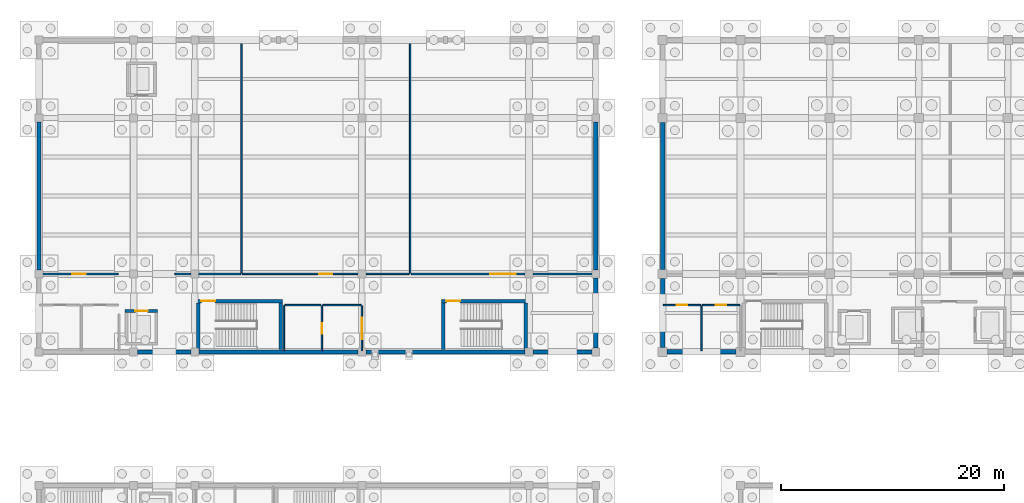
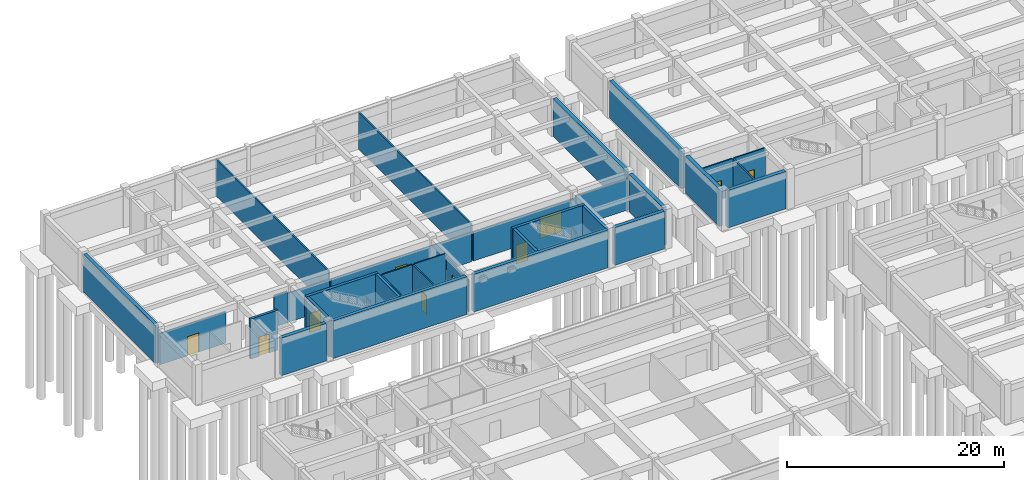
# One storey, part 16 of 28: 33 walls, 10 doors, 10 openings.
"""IFC4 building model written with IfcOpenShell, lengths in metres."""

from ifc_helpers import new_model, si_unit, direction, frame, frame_2d, origin, place, context, subcontext, project, spatial, rectangle, extrude, material, layer, layer_set, type_object, element, fill, save


model = new_model("IFC4")

# Units and contexts
model_context = context("Model", 3, precision=1e-05, world=origin(), true_north=direction((0.0, 1.0)))
body_context = subcontext(model_context, "Body", "Model", "MODEL_VIEW")
ifc_project = project(units=[si_unit("LENGTHUNIT", "METRE"), si_unit("AREAUNIT", "SQUARE_METRE"), si_unit("VOLUMEUNIT", "CUBIC_METRE"), si_unit("PLANEANGLEUNIT", "RADIAN"), si_unit("MASSUNIT", "GRAM", prefix="KILO")], contexts=[model_context])

# Site, building, storey
site_placement = place(None, origin())
site = spatial("IfcSite", under=ifc_project, at=site_placement, CompositionType="ELEMENT")
building_placement = place(site_placement, origin())
building = spatial("IfcBuilding", under=site, at=building_placement, Name="Naurynzar Civic Courthouse", CompositionType="ELEMENT")
storey_placement = place(building_placement, frame((0.0, 0.0, -4.5)))
storey = spatial("IfcBuildingStorey", under=building, at=storey_placement, Name="B01", CompositionType="ELEMENT", Elevation=-4.5)

# Wall, opening, door
ifc_material_1 = material(Name="Concrete C40/50", Category="concrete")
ifc_layer_1 = layer(ifc_material_1, 0.300048828125)
ifc_layer_set_1 = layer_set([ifc_layer_1], Name="WL-CORE-300")
wall_type_1 = type_object("IfcWallType", Name="WL-CORE-300", PredefinedType="SHEAR", material=ifc_layer_set_1)
wall_1_placement = place(storey_placement, frame((27.85009765625, 48.550048828125, 0.0), z_axis=(0.0, 0.0, 1.0), x_axis=(-1.0, 0.0, 0.0)))
wall_1 = element("IfcWall", 1, at=wall_1_placement, inside=storey, type_object=wall_type_1, Name="Stair ST-V1A enclosure wall north B01", PredefinedType="SHEAR", context=body_context, shape_type="SweptSolid", body=[
    extrude(rectangle(XDim=7.7001953125, YDim=0.300048828125, at=frame_2d((3.85009765625, 0.0))), origin(), (0.0, 0.0, 1.0), 4.239990234375),
])
opening_1_placement = place(wall_1_placement, frame((6.02490234375, 0.0, 0.0)))
opening_1 = element("IfcOpeningElement", 2, at=opening_1_placement, cuts=wall_1, Name="Opening SD-001", PredefinedType="OPENING", context=body_context, shape_type="SweptSolid", body=[
    extrude(rectangle(XDim=1.25, YDim=2.14990234375, at=frame_2d((0.625, 1.074951171875))), frame((0.0, 0.159912109375, 0.0), z_axis=(0.0, -1.0, 0.0), x_axis=(1.0, 0.0, 0.0)), (0.0, 0.0, 1.0), 0.320068359375),
])
ifc_material_2 = material(Name="Powder-Coated Galvanised Steel", Category="steel")
door_type_1 = type_object("IfcDoorType", Name="DR-STAIR-1250x2150", OperationType="NOTDEFINED", PredefinedType="DOOR", material=ifc_material_2)
door_1_placement = place(opening_1_placement, origin())
door_1 = element("IfcDoor", 3, at=door_1_placement, inside=storey, type_object=door_type_1, Name="Stair ST-V1A fire door B01", OperationType="SINGLE_SWING_LEFT", OverallHeight=2.14990234375, OverallWidth=1.25, PredefinedType="DOOR", context=body_context, shape_type="SweptSolid", body=[
    extrude(rectangle(XDim=1.25, YDim=2.14990234375, at=frame_2d((0.625, 1.074951171875))), frame((0.0, 0.02490234375, 0.0), z_axis=(0.0, -1.0, 0.0), x_axis=(1.0, 0.0, 0.0)), (0.0, 0.0, 1.0), 0.050048828125),
])
fill(opening_1, door_1)

# Walls
for number, where, z_axis, x_axis, name in (
    (4, (20.300048828125, 48.39501953125, 0.0), (0.0, 0.0, 1.0), (0.0, -1.0, 0.0), "Stair ST-V1A enclosure wall west B01"),
    (5, (27.699951171875, 44.205078125, 0.0), (0.0, 0.0, 1.0), (0.0, 1.0, 0.0), "Stair ST-V1A enclosure wall east B01"),
):
    element("IfcWall", number, at=place(storey_placement, frame(where, z_axis=z_axis, x_axis=x_axis)), inside=storey, type_object=wall_type_1, Name=name, PredefinedType="SHEAR", context=body_context, shape_type="SweptSolid", body=[
        extrude(rectangle(XDim=4.18994140625, YDim=0.300048828125, at=frame_2d((2.094970703125, 0.0))), origin(), (0.0, 0.0, 1.0), 4.239990234375),
    ])

# Wall, opening, door
wall_2_placement = place(storey_placement, frame((49.85009765625, 48.550048828125, 0.0), z_axis=(0.0, 0.0, 1.0), x_axis=(-1.0, 0.0, 0.0)))
wall_2 = element("IfcWall", 6, at=wall_2_placement, inside=storey, type_object=wall_type_1, Name="Stair ST-V1B enclosure wall north B01", PredefinedType="SHEAR", context=body_context, shape_type="SweptSolid", body=[
    extrude(rectangle(XDim=7.7001953125, YDim=0.300048828125, at=frame_2d((3.85009765625, 0.0))), origin(), (0.0, 0.0, 1.0), 4.239990234375),
])
opening_2_placement = place(wall_2_placement, frame((6.02490234375, 0.0, 0.0)))
opening_2 = element("IfcOpeningElement", 7, at=opening_2_placement, cuts=wall_2, Name="Opening SD-006", PredefinedType="OPENING", context=body_context, shape_type="SweptSolid", body=[
    extrude(rectangle(XDim=1.25, YDim=2.14990234375, at=frame_2d((0.625, 1.074951171875))), frame((0.0, 0.159912109375, 0.0), z_axis=(0.0, -1.0, 0.0), x_axis=(1.0, 0.0, 0.0)), (0.0, 0.0, 1.0), 0.320068359375),
])
door_2_placement = place(opening_2_placement, origin())
door_2 = element("IfcDoor", 8, at=door_2_placement, inside=storey, type_object=door_type_1, Name="Stair ST-V1B fire door B01", OperationType="SINGLE_SWING_RIGHT", OverallHeight=2.14990234375, OverallWidth=1.25, PredefinedType="DOOR", context=body_context, shape_type="SweptSolid", body=[
    extrude(rectangle(XDim=1.25, YDim=2.14990234375, at=frame_2d((0.625, 1.074951171875))), frame((0.0, 0.02490234375, 0.0), z_axis=(0.0, -1.0, 0.0), x_axis=(1.0, 0.0, 0.0)), (0.0, 0.0, 1.0), 0.050048828125),
])
fill(opening_2, door_2)

# Walls
for number, where, z_axis, x_axis, name in (
    (9, (42.300048828125, 48.39501953125, 0.0), (0.0, 0.0, 1.0), (0.0, -1.0, 0.0), "Stair ST-V1B enclosure wall west B01"),
    (10, (49.699951171875, 44.205078125, 0.0), (0.0, 0.0, 1.0), (0.0, 1.0, 0.0), "Stair ST-V1B enclosure wall east B01"),
):
    element("IfcWall", number, at=place(storey_placement, frame(where, z_axis=z_axis, x_axis=x_axis)), inside=storey, type_object=wall_type_1, Name=name, PredefinedType="SHEAR", context=body_context, shape_type="SweptSolid", body=[
        extrude(rectangle(XDim=4.18994140625, YDim=0.300048828125, at=frame_2d((2.094970703125, 0.0))), origin(), (0.0, 0.0, 1.0), 4.239990234375),
    ])

# Wall, opening, door
ifc_material_3 = material(Name="Fire-Rated Corridor Gypsum Partition")
ifc_layer_2 = layer(ifc_material_3, 0.14990234375)
ifc_layer_set_2 = layer_set([ifc_layer_2], Name="WL-PART-CORR-150")
wall_type_2 = type_object("IfcWallType", Name="WL-PART-CORR-150", PredefinedType="PARTITIONING", material=ifc_layer_set_2)
wall_3_placement = place(storey_placement, frame((6.080078125, 51.0, 0.0), z_axis=(0.0, 0.0, 1.0), x_axis=(1.0, 0.0, 0.0)))
wall_3 = element("IfcWall", 11, at=wall_3_placement, inside=storey, type_object=wall_type_2, Name="V1 interior partition B01.28", PredefinedType="PARTITIONING", context=body_context, shape_type="SweptSolid", body=[
    extrude(rectangle(XDim=7.02001953125, YDim=0.14990234375, at=frame_2d((3.510009765625, 0.0))), origin(), (0.0, 0.0, 1.0), 3.530029296875),
])
opening_3_placement = place(wall_3_placement, frame((2.909912109375, 0.0, 0.0)))
opening_3 = element("IfcOpeningElement", 12, at=opening_3_placement, cuts=wall_3, Name="Opening D-005", PredefinedType="OPENING", context=body_context, shape_type="SweptSolid", body=[
    extrude(rectangle(XDim=1.199951171875, YDim=2.14990234375, at=frame_2d((0.60009765625, 1.074951171875))), frame((0.0, 0.0849609375, 0.0), z_axis=(0.0, -1.0, 0.0), x_axis=(1.0, 0.0, 0.0)), (0.0, 0.0, 1.0), 0.169921875),
])
ifc_material_4 = material(Name="Powder-Coated Galvanised Steel", Category="steel")
door_type_2 = type_object("IfcDoorType", Name="DR-ARCH-1200x2150", OperationType="NOTDEFINED", PredefinedType="DOOR", material=ifc_material_4)
door_3_placement = place(opening_3_placement, origin())
door_3 = element("IfcDoor", 13, at=door_3_placement, inside=storey, type_object=door_type_2, Name="Interior door D-005 (Constitutional Records Archive)", OperationType="SINGLE_SWING_LEFT", OverallHeight=2.14990234375, OverallWidth=1.199951171875, PredefinedType="DOOR", context=body_context, shape_type="SweptSolid", body=[
    extrude(rectangle(XDim=1.199951171875, YDim=2.14990234375, at=frame_2d((0.60009765625, 1.074951171875))), frame((0.0, 0.02490234375, 0.0), z_axis=(0.0, -1.0, 0.0), x_axis=(1.0, 0.0, 0.0)), (0.0, 0.0, 1.0), 0.050048828125),
])
fill(opening_3, door_3)

# Walls
wall_4_placement = place(storey_placement, frame((18.199951171875, 51.0, 0.0), z_axis=(0.0, 0.0, 1.0), x_axis=(1.0, 0.0, 0.0)))
element("IfcWall", 14, at=wall_4_placement, inside=storey, type_object=wall_type_2, Name="V1 interior partition B01.29a", PredefinedType="PARTITIONING", context=body_context, shape_type="SweptSolid", body=[
    extrude(rectangle(XDim=1.449951171875, YDim=0.14990234375, at=frame_2d((0.72509765625, 0.0))), origin(), (0.0, 0.0, 1.0), 3.530029296875),
])
wall_5_placement = place(storey_placement, frame((19.64990234375, 51.0, 0.0), z_axis=(0.0, 0.0, 1.0), x_axis=(1.0, 0.0, 0.0)))
element("IfcWall", 15, at=wall_5_placement, inside=storey, type_object=wall_type_2, Name="V1 interior partition B01.29ab", PredefinedType="PARTITIONING", context=body_context, shape_type="SweptSolid", body=[
    extrude(rectangle(XDim=4.4501953125, YDim=0.14990234375, at=frame_2d((2.22509765625, 0.0))), origin(), (0.0, 0.0, 1.0), 3.280029296875),
])

# Wall, opening, door
wall_6_placement = place(storey_placement, frame((39.409912109375, 51.0, 0.0), z_axis=(0.0, 0.0, 1.0), x_axis=(1.0, 0.0, 0.0)))
wall_6 = element("IfcWall", 16, at=wall_6_placement, inside=storey, type_object=wall_type_2, Name="V1 interior partition B01.31a", PredefinedType="PARTITIONING", context=body_context, shape_type="SweptSolid", body=[
    extrude(rectangle(XDim=10.940185546875, YDim=0.14990234375, at=frame_2d((5.47021484375, 0.0))), origin(), (0.0, 0.0, 1.0), 3.280029296875),
])
opening_4_placement = place(wall_6_placement, frame((7.10498046875, 0.0, 0.0)))
opening_4 = element("IfcOpeningElement", 17, at=opening_4_placement, cuts=wall_6, Name="Opening D-007", PredefinedType="OPENING", context=body_context, shape_type="SweptSolid", body=[
    extrude(rectangle(XDim=2.300048828125, YDim=2.39990234375, at=frame_2d((1.14990234375, 1.199951171875))), frame((0.0, 0.0849609375, 0.0), z_axis=(0.0, -1.0, 0.0), x_axis=(1.0, 0.0, 0.0)), (0.0, 0.0, 1.0), 0.169921875),
])
ifc_material_5 = material(Name="Acoustic Oak Timber Grade A", Category="wood")
door_type_3 = type_object("IfcDoorType", Name="DR-SUITE-2300x2400", OperationType="DOUBLE_DOOR_SINGLE_SWING", PredefinedType="DOOR", material=ifc_material_5)
door_4_placement = place(opening_4_placement, origin())
door_4 = element("IfcDoor", 18, at=door_4_placement, inside=storey, type_object=door_type_3, Name="Interior door D-007 (Sprinkler and Fire Pump Plant)", OperationType="DOUBLE_DOOR_SINGLE_SWING", OverallHeight=2.39990234375, OverallWidth=2.300048828125, PredefinedType="DOOR", context=body_context, shape_type="SweptSolid", body=[
    extrude(rectangle(XDim=2.300048828125, YDim=2.39990234375, at=frame_2d((1.14990234375, 1.199951171875))), frame((0.0, 0.02490234375, 0.0), z_axis=(0.0, -1.0, 0.0), x_axis=(1.0, 0.0, 0.0)), (0.0, 0.0, 1.0), 0.050048828125),
])
fill(opening_4, door_4)

# Walls
wall_7_placement = place(storey_placement, frame((50.35009765625, 51.0, 0.0), z_axis=(0.0, 0.0, 1.0), x_axis=(1.0, 0.0, 0.0)))
element("IfcWall", 19, at=wall_7_placement, inside=storey, type_object=wall_type_2, Name="V1 interior partition B01.31ab", PredefinedType="PARTITIONING", context=body_context, shape_type="SweptSolid", body=[
    extrude(rectangle(XDim=5.56982421875, YDim=0.14990234375, at=frame_2d((2.784912109375, 0.0))), origin(), (0.0, 0.0, 1.0), 3.530029296875),
])
for number, where, z_axis, x_axis, name in (
    (20, (24.179931640625, 51.080078125, 0.0), (0.0, 0.0, 1.0), (0.0, 1.0, 0.0), "V1 interior partition B01.42"),
    (21, (39.330078125, 51.080078125, 0.0), (0.0, 0.0, 1.0), (0.0, 1.0, 0.0), "V1 interior partition B01.48"),
):
    element("IfcWall", number, at=place(storey_placement, frame(where, z_axis=z_axis, x_axis=x_axis)), inside=storey, type_object=wall_type_2, Name=name, PredefinedType="PARTITIONING", context=body_context, shape_type="SweptSolid", body=[
        extrude(rectangle(XDim=20.83984375, YDim=0.14990234375, at=frame_2d((10.419921875, 0.0))), origin(), (0.0, 0.0, 1.0), 4.139892578125),
    ])
ifc_material_6 = material(Name="Metal-Stud Gypsum Partition")
ifc_layer_3 = layer(ifc_material_6, 0.125)
ifc_layer_set_3 = layer_set([ifc_layer_3], Name="WL-PART-STD-125")
wall_type_3 = type_object("IfcWallType", Name="WL-PART-STD-125", PredefinedType="PARTITIONING", material=ifc_layer_set_3)
wall_8_placement = place(storey_placement, frame((31.47998046875, 48.199951171875, 0.0), z_axis=(0.0, 0.0, 1.0), x_axis=(1.0, 0.0, 0.0)))
element("IfcWall", 22, at=wall_8_placement, inside=storey, type_object=wall_type_3, Name="V1 interior partition B01.23", PredefinedType="PARTITIONING", context=body_context, shape_type="SweptSolid", body=[
    extrude(rectangle(XDim=3.43994140625, YDim=0.125, at=frame_2d((1.719970703125, 0.0))), origin(), (0.0, 0.0, 1.0), 4.139892578125),
])

# Wall, opening, door
wall_9_placement = place(storey_placement, frame((24.260009765625, 51.0, 0.0), z_axis=(0.0, 0.0, 1.0), x_axis=(1.0, 0.0, 0.0)))
wall_9 = element("IfcWall", 23, at=wall_9_placement, inside=storey, type_object=wall_type_3, Name="V1 interior partition B01.30", PredefinedType="PARTITIONING", context=body_context, shape_type="SweptSolid", body=[
    extrude(rectangle(XDim=14.989990234375, YDim=0.125, at=frame_2d((7.4951171875, 0.0))), origin(), (0.0, 0.0, 1.0), 3.280029296875),
])
opening_5_placement = place(wall_9_placement, frame((6.89501953125, 0.0, 0.0)))
opening_5 = element("IfcOpeningElement", 24, at=opening_5_placement, cuts=wall_9, Name="Opening D-006", PredefinedType="OPENING", context=body_context, shape_type="SweptSolid", body=[
    extrude(rectangle(XDim=1.199951171875, YDim=2.14990234375, at=frame_2d((0.60009765625, 1.074951171875))), frame((0.0, 0.072509765625, 0.0), z_axis=(0.0, -1.0, 0.0), x_axis=(1.0, 0.0, 0.0)), (0.0, 0.0, 1.0), 0.14501953125),
])
door_5_placement = place(opening_5_placement, origin())
door_5 = element("IfcDoor", 25, at=door_5_placement, inside=storey, type_object=door_type_2, Name="Interior door D-006 (Ceremonial Press Archive)", OperationType="SINGLE_SWING_RIGHT", OverallHeight=2.14990234375, OverallWidth=1.199951171875, PredefinedType="DOOR", context=body_context, shape_type="SweptSolid", body=[
    extrude(rectangle(XDim=1.199951171875, YDim=2.14990234375, at=frame_2d((0.60009765625, 1.074951171875))), frame((0.0, 0.02490234375, 0.0), z_axis=(0.0, -1.0, 0.0), x_axis=(1.0, 0.0, 0.0)), (0.0, 0.0, 1.0), 0.050048828125),
])
fill(opening_5, door_5)

wall_10_placement = place(storey_placement, frame((35.0, 44.080078125, 0.0), z_axis=(0.0, 0.0, 1.0), x_axis=(0.0, 1.0, 0.0)))
wall_10 = element("IfcWall", 26, at=wall_10_placement, inside=storey, type_object=wall_type_3, Name="V1 interior partition B01.47", PredefinedType="PARTITIONING", context=body_context, shape_type="SweptSolid", body=[
    extrude(rectangle(XDim=4.0400390625, YDim=0.125, at=frame_2d((2.02001953125, 0.0))), origin(), (0.0, 0.0, 1.0), 3.580078125),
])
opening_6_placement = place(wall_10_placement, frame((1.044921875, 0.0, 0.0)))
opening_6 = element("IfcOpeningElement", 27, at=opening_6_placement, cuts=wall_10, Name="Opening D-004", PredefinedType="OPENING", context=body_context, shape_type="SweptSolid", body=[
    extrude(rectangle(XDim=1.949951171875, YDim=2.35009765625, at=frame_2d((0.97509765625, 1.175048828125))), frame((0.0, 0.072509765625, 0.0), z_axis=(0.0, -1.0, 0.0), x_axis=(1.0, 0.0, 0.0)), (0.0, 0.0, 1.0), 0.14501953125),
])
ifc_material_7 = material(Name="Acoustic Oak Timber Grade A", Category="wood")
door_type_4 = type_object("IfcDoorType", Name="DR-SUITE-1950x2350", OperationType="DOUBLE_DOOR_SINGLE_SWING", PredefinedType="DOOR", material=ifc_material_7)
door_6_placement = place(opening_6_placement, origin())
door_6 = element("IfcDoor", 28, at=door_6_placement, inside=storey, type_object=door_type_4, Name="Interior door D-004 (Ceremonial Waiting Lounge)", OperationType="DOUBLE_DOOR_SINGLE_SWING", OverallHeight=2.35009765625, OverallWidth=1.949951171875, PredefinedType="DOOR", context=body_context, shape_type="SweptSolid", body=[
    extrude(rectangle(XDim=1.949951171875, YDim=2.35009765625, at=frame_2d((0.97509765625, 1.175048828125))), frame((0.0, 0.02490234375, 0.0), z_axis=(0.0, -1.0, 0.0), x_axis=(1.0, 0.0, 0.0)), (0.0, 0.0, 1.0), 0.050048828125),
])
fill(opening_6, door_6)

# Wall
ifc_material_8 = material(Name="Moisture-Resistant Plumbing Partition")
ifc_layer_4 = layer(ifc_material_8, 0.139892578125)
ifc_layer_set_4 = layer_set([ifc_layer_4], Name="WL-PART-WC-140")
wall_type_4 = type_object("IfcWallType", Name="WL-PART-WC-140", PredefinedType="PLUMBINGWALL", material=ifc_layer_set_4)
wall_11_placement = place(storey_placement, frame((28.080078125, 48.199951171875, 0.0), z_axis=(0.0, 0.0, 1.0), x_axis=(1.0, 0.0, 0.0)))
element("IfcWall", 29, at=wall_11_placement, inside=storey, type_object=wall_type_4, Name="V1 interior partition B01.22", PredefinedType="PLUMBINGWALL", context=body_context, shape_type="SweptSolid", body=[
    extrude(rectangle(XDim=3.239990234375, YDim=0.139892578125, at=frame_2d((1.6201171875, 0.0))), origin(), (0.0, 0.0, 1.0), 4.139892578125),
])

# Wall, opening, door
wall_12_placement = place(storey_placement, frame((62.080078125, 48.199951171875, 0.0), z_axis=(0.0, 0.0, 1.0), x_axis=(1.0, 0.0, 0.0)))
wall_12 = element("IfcWall", 30, at=wall_12_placement, inside=storey, type_object=wall_type_4, Name="V2 interior partition B01.24", PredefinedType="PLUMBINGWALL", context=body_context, shape_type="SweptSolid", body=[
    extrude(rectangle(XDim=3.33984375, YDim=0.139892578125, at=frame_2d((1.669921875, 0.0))), origin(), (0.0, 0.0, 1.0), 4.139892578125),
])
opening_7_placement = place(wall_12_placement, frame((1.2099609375, 0.0, 0.0)))
opening_7 = element("IfcOpeningElement", 31, at=opening_7_placement, cuts=wall_12, Name="Opening D-095", PredefinedType="OPENING", context=body_context, shape_type="SweptSolid", body=[
    extrude(rectangle(XDim=0.919921875, YDim=2.10009765625, at=frame_2d((0.4599609375, 1.050048828125))), frame((0.0, 0.079833984375, 0.0), z_axis=(0.0, -1.0, 0.0), x_axis=(1.0, 0.0, 0.0)), (0.0, 0.0, 1.0), 0.159912109375),
])
ifc_material_9 = material(Name="Acoustic Oak Timber Grade A", Category="wood")
door_type_5 = type_object("IfcDoorType", Name="DR-WC-STD-920x2100", OperationType="NOTDEFINED", PredefinedType="DOOR", material=ifc_material_9)
door_7_placement = place(opening_7_placement, origin())
door_7 = element("IfcDoor", 32, at=door_7_placement, inside=storey, type_object=door_type_5, Name="Interior door D-095 (Public WC V2)", OperationType="SINGLE_SWING_LEFT", OverallHeight=2.10009765625, OverallWidth=0.919921875, PredefinedType="DOOR", context=body_context, shape_type="SweptSolid", body=[
    extrude(rectangle(XDim=0.919921875, YDim=2.10009765625, at=frame_2d((0.4599609375, 1.050048828125))), frame((0.0, 0.02490234375, 0.0), z_axis=(0.0, -1.0, 0.0), x_axis=(1.0, 0.0, 0.0)), (0.0, 0.0, 1.0), 0.050048828125),
])
fill(opening_7, door_7)

wall_13_placement = place(storey_placement, frame((65.580078125, 48.199951171875, 0.0), z_axis=(0.0, 0.0, 1.0), x_axis=(1.0, 0.0, 0.0)))
wall_13 = element("IfcWall", 33, at=wall_13_placement, inside=storey, type_object=wall_type_4, Name="V2 interior partition B01.25", PredefinedType="PLUMBINGWALL", context=body_context, shape_type="SweptSolid", body=[
    extrude(rectangle(XDim=3.33984375, YDim=0.139892578125, at=frame_2d((1.669921875, 0.0))), origin(), (0.0, 0.0, 1.0), 4.139892578125),
])
opening_8_placement = place(wall_13_placement, frame((1.18994140625, 0.0, 0.0)))
opening_8 = element("IfcOpeningElement", 34, at=opening_8_placement, cuts=wall_13, Name="Opening D-096", PredefinedType="OPENING", context=body_context, shape_type="SweptSolid", body=[
    extrude(rectangle(XDim=0.9599609375, YDim=2.10009765625, at=frame_2d((0.47998046875, 1.050048828125))), frame((0.0, 0.079833984375, 0.0), z_axis=(0.0, -1.0, 0.0), x_axis=(1.0, 0.0, 0.0)), (0.0, 0.0, 1.0), 0.159912109375),
])
ifc_material_10 = material(Name="Acoustic Oak Timber Grade A", Category="wood")
door_type_6 = type_object("IfcDoorType", Name="DR-WC-ACC-960x2100", OperationType="NOTDEFINED", PredefinedType="DOOR", material=ifc_material_10)
door_8_placement = place(opening_8_placement, origin())
door_8 = element("IfcDoor", 35, at=door_8_placement, inside=storey, type_object=door_type_6, Name="Interior door D-096 (Accessible WC V2)", OperationType="SINGLE_SWING_RIGHT", OverallHeight=2.10009765625, OverallWidth=0.9599609375, PredefinedType="DOOR", context=body_context, shape_type="SweptSolid", body=[
    extrude(rectangle(XDim=0.9599609375, YDim=2.10009765625, at=frame_2d((0.47998046875, 1.050048828125))), frame((0.0, 0.02490234375, 0.0), z_axis=(0.0, -1.0, 0.0), x_axis=(1.0, 0.0, 0.0)), (0.0, 0.0, 1.0), 0.050048828125),
])
fill(opening_8, door_8)

# Wall
wall_14_placement = place(storey_placement, frame((28.0, 44.080078125, 0.0), z_axis=(0.0, 0.0, 1.0), x_axis=(0.0, 1.0, 0.0)))
element("IfcWall", 36, at=wall_14_placement, inside=storey, type_object=wall_type_4, Name="V1 interior partition B01.44", PredefinedType="PLUMBINGWALL", context=body_context, shape_type="SweptSolid", body=[
    extrude(rectangle(XDim=4.0400390625, YDim=0.139892578125, at=frame_2d((2.02001953125, 0.0))), origin(), (0.0, 0.0, 1.0), 4.139892578125),
])

# Wall, opening, door
wall_15_placement = place(storey_placement, frame((31.39990234375, 44.080078125, 0.0), z_axis=(0.0, 0.0, 1.0), x_axis=(0.0, 1.0, 0.0)))
wall_15 = element("IfcWall", 37, at=wall_15_placement, inside=storey, type_object=wall_type_4, Name="V1 interior partition B01.45", PredefinedType="PLUMBINGWALL", context=body_context, shape_type="SweptSolid", body=[
    extrude(rectangle(XDim=4.0400390625, YDim=0.139892578125, at=frame_2d((2.02001953125, 0.0))), origin(), (0.0, 0.0, 1.0), 4.139892578125),
])
opening_9_placement = place(wall_15_placement, frame((1.56005859375, 0.0, 0.0)))
opening_9 = element("IfcOpeningElement", 38, at=opening_9_placement, cuts=wall_15, Name="Opening D-003", PredefinedType="OPENING", context=body_context, shape_type="SweptSolid", body=[
    extrude(rectangle(XDim=0.919921875, YDim=2.10009765625, at=frame_2d((0.4599609375, 1.050048828125))), frame((0.0, 0.079833984375, 0.0), z_axis=(0.0, -1.0, 0.0), x_axis=(1.0, 0.0, 0.0)), (0.0, 0.0, 1.0), 0.159912109375),
])
door_9_placement = place(opening_9_placement, origin())
door_9 = element("IfcDoor", 39, at=door_9_placement, inside=storey, type_object=door_type_5, Name="Interior door D-003 (Staff WC V1)", OperationType="SINGLE_SWING_LEFT", OverallHeight=2.10009765625, OverallWidth=0.919921875, PredefinedType="DOOR", context=body_context, shape_type="SweptSolid", body=[
    extrude(rectangle(XDim=0.919921875, YDim=2.10009765625, at=frame_2d((0.4599609375, 1.050048828125))), frame((0.0, 0.02490234375, 0.0), z_axis=(0.0, -1.0, 0.0), x_axis=(1.0, 0.0, 0.0)), (0.0, 0.0, 1.0), 0.050048828125),
])
fill(opening_9, door_9)

# Walls
wall_16_placement = place(storey_placement, frame((65.5, 44.080078125, 0.0), z_axis=(0.0, 0.0, 1.0), x_axis=(0.0, 1.0, 0.0)))
element("IfcWall", 40, at=wall_16_placement, inside=storey, type_object=wall_type_4, Name="V2 interior partition B01.50", PredefinedType="PLUMBINGWALL", context=body_context, shape_type="SweptSolid", body=[
    extrude(rectangle(XDim=4.0400390625, YDim=0.139892578125, at=frame_2d((2.02001953125, 0.0))), origin(), (0.0, 0.0, 1.0), 4.139892578125),
])
ifc_material_11 = material(Name="Concrete C40/50", Category="concrete")
ifc_layer_5 = layer(ifc_material_11, 0.3798828125)
ifc_layer_set_5 = layer_set([ifc_layer_5], Name="WL-RET-380")
wall_type_5 = type_object("IfcWallType", Name="WL-RET-380", PredefinedType="STANDARD", material=ifc_layer_set_5)
for number, where, z_axis, x_axis, name in (
    (41, (6.0, 51.35009765625, 0.0), (0.0, 0.0, 1.0), (0.0, 1.0, 0.0), "V1 basement retaining wall west 2"),
    (42, (56.0, 64.64990234375, 0.0), (0.0, 0.0, 1.0), (0.0, -1.0, 0.0), "V1 basement retaining wall east 2"),
):
    element("IfcWall", number, at=place(storey_placement, frame(where, z_axis=z_axis, x_axis=x_axis)), inside=storey, type_object=wall_type_5, Name=name, PredefinedType="STANDARD", context=body_context, shape_type="SweptSolid", body=[
        extrude(rectangle(XDim=13.2998046875, YDim=0.3798828125, at=frame_2d((6.64990234375, 0.0))), origin(), (0.0, 0.0, 1.0), 4.239990234375),
    ])
wall_17_placement = place(storey_placement, frame((56.0, 50.64990234375, 0.0), z_axis=(0.0, 0.0, 1.0), x_axis=(0.0, -1.0, 0.0)))
element("IfcWall", 43, at=wall_17_placement, inside=storey, type_object=wall_type_5, Name="V1 basement retaining wall east 3", PredefinedType="STANDARD", context=body_context, shape_type="SweptSolid", body=[
    extrude(rectangle(XDim=6.2998046875, YDim=0.3798828125, at=frame_2d((3.14990234375, 0.0))), origin(), (0.0, 0.0, 1.0), 4.239990234375),
])
wall_18_placement = place(storey_placement, frame((55.64990234375, 44.0, 0.0), z_axis=(0.0, 0.0, 1.0), x_axis=(-1.0, 0.0, 0.0)))
element("IfcWall", 44, at=wall_18_placement, inside=storey, type_object=wall_type_5, Name="V1 basement retaining wall south 1", PredefinedType="STANDARD", context=body_context, shape_type="SweptSolid", body=[
    extrude(rectangle(XDim=5.2998046875, YDim=0.3798828125, at=frame_2d((2.64990234375, 0.0))), origin(), (0.0, 0.0, 1.0), 4.239990234375),
])
for number, where, z_axis, x_axis, name in (
    (45, (49.64990234375, 44.0, 0.0), (0.0, 0.0, 1.0), (-1.0, 0.0, 0.0), "V1 basement retaining wall south 2"),
    (46, (34.64990234375, 44.0, 0.0), (0.0, 0.0, 1.0), (-1.0, 0.0, 0.0), "V1 basement retaining wall south 3"),
):
    element("IfcWall", number, at=place(storey_placement, frame(where, z_axis=z_axis, x_axis=x_axis)), inside=storey, type_object=wall_type_5, Name=name, PredefinedType="STANDARD", context=body_context, shape_type="SweptSolid", body=[
        extrude(rectangle(XDim=14.2998046875, YDim=0.3798828125, at=frame_2d((7.14990234375, 0.0))), origin(), (0.0, 0.0, 1.0), 4.239990234375),
    ])
wall_19_placement = place(storey_placement, frame((19.64990234375, 44.0, 0.0), z_axis=(0.0, 0.0, 1.0), x_axis=(-1.0, 0.0, 0.0)))
element("IfcWall", 47, at=wall_19_placement, inside=storey, type_object=wall_type_5, Name="V1 basement retaining wall south 4", PredefinedType="STANDARD", context=body_context, shape_type="SweptSolid", body=[
    extrude(rectangle(XDim=4.7998046875, YDim=0.3798828125, at=frame_2d((2.39990234375, 0.0))), origin(), (0.0, 0.0, 1.0), 4.239990234375),
])
ifc_material_12 = material(Name="Concrete C40/50", Category="concrete")
ifc_layer_6 = layer(ifc_material_12, 0.39990234375)
ifc_layer_set_6 = layer_set([ifc_layer_6], Name="WL-RET-400")
wall_type_6 = type_object("IfcWallType", Name="WL-RET-400", PredefinedType="STANDARD", material=ifc_layer_set_6)
wall_20_placement = place(storey_placement, frame((62.0, 44.39990234375, 0.0), z_axis=(0.0, 0.0, 1.0), x_axis=(0.0, 1.0, 0.0)))
element("IfcWall", 48, at=wall_20_placement, inside=storey, type_object=wall_type_6, Name="V2 basement retaining wall west 1", PredefinedType="STANDARD", context=body_context, shape_type="SweptSolid", body=[
    extrude(rectangle(XDim=6.2001953125, YDim=0.39990234375, at=frame_2d((3.10009765625, 0.0))), origin(), (0.0, 0.0, 1.0), 4.199951171875),
])
wall_21_placement = place(storey_placement, frame((62.0, 51.39990234375, 0.0), z_axis=(0.0, 0.0, 1.0), x_axis=(0.0, 1.0, 0.0)))
element("IfcWall", 49, at=wall_21_placement, inside=storey, type_object=wall_type_6, Name="V2 basement retaining wall west 2", PredefinedType="STANDARD", context=body_context, shape_type="SweptSolid", body=[
    extrude(rectangle(XDim=13.2001953125, YDim=0.39990234375, at=frame_2d((6.60009765625, 0.0))), origin(), (0.0, 0.0, 1.0), 4.199951171875),
])
wall_22_placement = place(storey_placement, frame((68.60009765625, 44.0, 0.0), z_axis=(0.0, 0.0, 1.0), x_axis=(-1.0, 0.0, 0.0)))
element("IfcWall", 50, at=wall_22_placement, inside=storey, type_object=wall_type_6, Name="V2 basement retaining wall south 8", PredefinedType="STANDARD", context=body_context, shape_type="SweptSolid", body=[
    extrude(rectangle(XDim=6.2001953125, YDim=0.39990234375, at=frame_2d((3.10009765625, 0.0))), origin(), (0.0, 0.0, 1.0), 4.199951171875),
])

# Wall, opening, door
ifc_material_13 = material(Name="Concrete C40/50", Category="concrete")
ifc_layer_7 = layer(ifc_material_13, 0.25)
ifc_layer_set_7 = layer_set([ifc_layer_7], Name="WL-SHAFT-250")
wall_type_7 = type_object("IfcWallType", Name="WL-SHAFT-250", PredefinedType="SHEAR", material=ifc_layer_set_7)
wall_23_placement = place(storey_placement, frame((16.64990234375, 47.675048828125, 0.0), z_axis=(0.0, 0.0, 1.0), x_axis=(-1.0, 0.0, 0.0)))
wall_23 = element("IfcWall", 51, at=wall_23_placement, inside=storey, type_object=wall_type_7, Name="Lift LP-01 shaft wall north B01", PredefinedType="SHEAR", context=body_context, shape_type="SweptSolid", body=[
    extrude(rectangle(XDim=2.89990234375, YDim=0.25, at=frame_2d((1.449951171875, 0.0))), origin(), (0.0, 0.0, 1.0), 4.5),
])
opening_10_placement = place(wall_23_placement, frame((0.89990234375, 0.0, 0.0)))
opening_10 = element("IfcOpeningElement", 52, at=opening_10_placement, cuts=wall_23, Name="Opening LD-001", PredefinedType="OPENING", context=body_context, shape_type="SweptSolid", body=[
    extrude(rectangle(XDim=1.10009765625, YDim=2.14990234375, at=frame_2d((0.550048828125, 1.074951171875))), frame((0.0, 0.135009765625, 0.0), z_axis=(0.0, -1.0, 0.0), x_axis=(1.0, 0.0, 0.0)), (0.0, 0.0, 1.0), 0.27001953125),
])
ifc_material_14 = material(Name="Brushed Stainless Steel 304", Category="steel")
door_type_7 = type_object("IfcDoorType", Name="DR-LIFT-SLIDE-1100x2150", OperationType="DOUBLE_DOOR_SLIDING", PredefinedType="DOOR", material=ifc_material_14)
door_10_placement = place(opening_10_placement, origin())
door_10 = element("IfcDoor", 53, at=door_10_placement, inside=storey, type_object=door_type_7, Name="Lift LP-01 sliding landing door B01", OperationType="DOUBLE_DOOR_SLIDING", OverallHeight=2.14990234375, OverallWidth=1.10009765625, PredefinedType="DOOR", context=body_context, shape_type="SweptSolid", body=[
    extrude(rectangle(XDim=1.10009765625, YDim=2.14990234375, at=frame_2d((0.550048828125, 1.074951171875))), frame((0.0, 0.02490234375, 0.0), z_axis=(0.0, -1.0, 0.0), x_axis=(1.0, 0.0, 0.0)), (0.0, 0.0, 1.0), 0.050048828125),
])
fill(opening_10, door_10)

save(model, "model.ifc")
